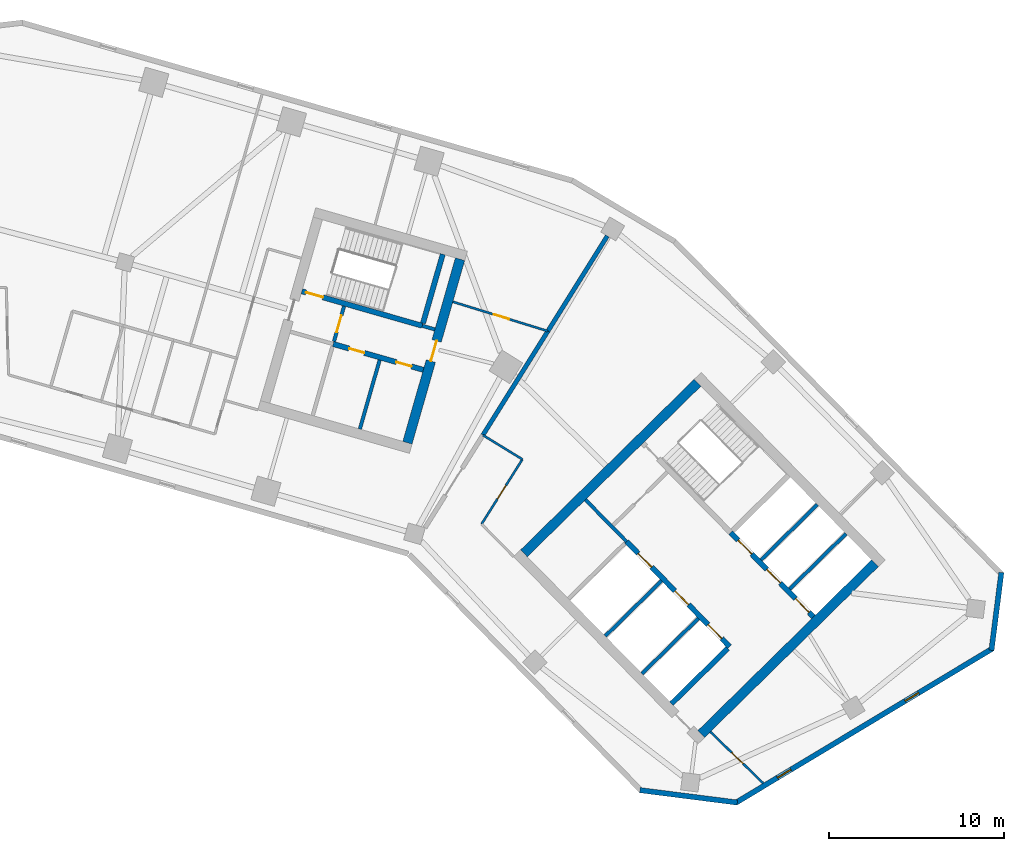
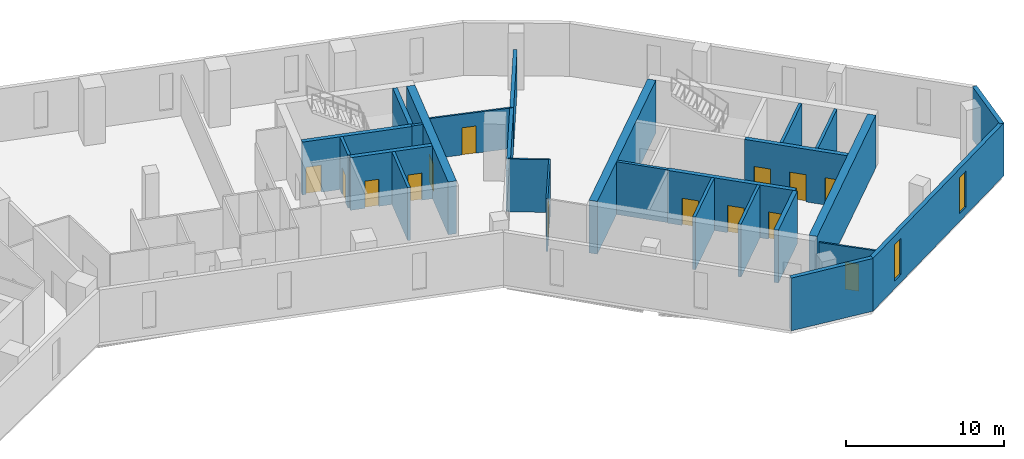
# One storey, part 6 of 10: 26 walls, 14 doors, 2 windows, 16 openings.
"""IFC4 building model written with IfcOpenShell, lengths in metres."""

from ifc_helpers import new_model, si_unit, direction, frame, frame_2d, origin, place, context, subcontext, project, spatial, rectangle, extrude, material, layer, layer_set, type_object, element, fill, save


model = new_model("IFC4")

# Units and contexts
model_context = context("Model", 3, precision=1e-05, world=origin(), true_north=direction((0.0, 1.0)))
body_context = subcontext(model_context, "Body", "Model", "MODEL_VIEW")
ifc_project = project(units=[si_unit("LENGTHUNIT", "METRE"), si_unit("AREAUNIT", "SQUARE_METRE"), si_unit("VOLUMEUNIT", "CUBIC_METRE"), si_unit("PLANEANGLEUNIT", "RADIAN"), si_unit("MASSUNIT", "GRAM", prefix="KILO")], contexts=[model_context])

# Site, building, storey
site_placement = place(None, origin())
site = spatial("IfcSite", under=ifc_project, at=site_placement, CompositionType="ELEMENT")
building_placement = place(site_placement, origin())
building = spatial("IfcBuilding", under=site, at=building_placement, Name="Binnacle Exchange Tower", CompositionType="ELEMENT")
storey_placement = place(building_placement, frame((0.0, 0.0, 101.5)))
storey = spatial("IfcBuildingStorey", under=building, at=storey_placement, Name="L20", CompositionType="ELEMENT", Elevation=101.5)

# Wall
ifc_material_1 = material(Name="Gypsum partition fire rated")
ifc_layer_1 = layer(ifc_material_1, 0.199951171875)
ifc_layer_set_1 = layer_set([ifc_layer_1], Name="Core partition 200")
wall_type_1 = type_object("IfcWallType", Name="Core partition 200", PredefinedType="PARTITIONING", material=ifc_layer_set_1)
wall_1_placement = place(storey_placement, frame((22.65087890625, 47.835205078125, 0.0), z_axis=(0.0, 0.0, 1.0), x_axis=(0.275625388668, 0.961265127383, 0.0)))
element("IfcWall", 1, at=wall_1_placement, inside=storey, type_object=wall_type_1, Name="Core wall CRWD10", PredefinedType="PARTITIONING", context=body_context, shape_type="SweptSolid", body=[
    extrude(rectangle(XDim=4.100341796875, YDim=0.199951171875, at=frame_2d((2.05029296875, 0.0))), origin(), (0.0, 0.0, 1.0), 4.080078125),
])

# Wall, openings, doors
ifc_material_2 = material(Name="Concrete C70/85", Category="concrete")
ifc_layer_2 = layer(ifc_material_2, 0.300048828125)
ifc_layer_set_2 = layer_set([ifc_layer_2], Name="Core wall - front 300")
wall_type_2 = type_object("IfcWallType", Name="Core wall - front 300", PredefinedType="SOLIDWALL", material=ifc_layer_set_2)
wall_2_placement = place(storey_placement, frame((37.8740234375, 41.41552734375, 0.0), z_axis=(0.0, 0.0, 1.0), x_axis=(0.700918271237, -0.71324159795, 0.0)))
wall_2 = element("IfcWall", 2, at=wall_2_placement, inside=storey, type_object=wall_type_2, Name="Core wall CRWB3", PredefinedType="SOLIDWALL", context=body_context, shape_type="SweptSolid", body=[
    extrude(rectangle(XDim=8.39990234375, YDim=0.300048828125, at=frame_2d((4.199951171875, 0.0))), origin(), (0.0, 0.0, 1.0), 4.080078125),
])
opening_1_placement = place(wall_2_placement, frame((0.949951171875, 0.0, 0.0)))
opening_1 = element("IfcOpeningElement", 3, at=opening_1_placement, cuts=wall_2, Name="Opening LD15", PredefinedType="OPENING", context=body_context, shape_type="SweptSolid", body=[
    extrude(rectangle(XDim=1.10009765625, YDim=2.10009765625, at=frame_2d((0.550048828125, 1.050048828125))), frame((0.0, 0.159912109375, 0.0), z_axis=(0.0, -1.0, 0.0), x_axis=(1.0, 0.0, 0.0)), (0.0, 0.0, 1.0), 0.320068359375),
])
opening_2_placement = place(wall_2_placement, frame((3.949951171875, 0.0, 0.0)))
opening_2 = element("IfcOpeningElement", 4, at=opening_2_placement, cuts=wall_2, Name="Opening LD16", PredefinedType="OPENING", context=body_context, shape_type="SweptSolid", body=[
    extrude(rectangle(XDim=1.10009765625, YDim=2.10009765625, at=frame_2d((0.550048828125, 1.050048828125))), frame((0.0, 0.159912109375, 0.0), z_axis=(0.0, -1.0, 0.0), x_axis=(1.0, 0.0, 0.0)), (0.0, 0.0, 1.0), 0.320068359375),
])
opening_3_placement = place(wall_2_placement, frame((6.64990234375, 0.0, 0.0)))
opening_3 = element("IfcOpeningElement", 5, at=opening_3_placement, cuts=wall_2, Name="Opening LD4", PredefinedType="OPENING", context=body_context, shape_type="SweptSolid", body=[
    extrude(rectangle(XDim=1.10009765625, YDim=2.10009765625, at=frame_2d((0.550048828125, 1.050048828125))), frame((0.0, 0.159912109375, 0.0), z_axis=(0.0, -1.0, 0.0), x_axis=(1.0, 0.0, 0.0)), (0.0, 0.0, 1.0), 0.320068359375),
])
ifc_material_3 = material(Name="Steel door leaf", Category="steel")
door_type_1 = type_object("IfcDoorType", Name="Fire door - lift landing 1100", OperationType="NOTDEFINED", PredefinedType="DOOR", material=ifc_material_3)
door_1_placement = place(opening_1_placement, origin())
door_1 = element("IfcDoor", 6, at=door_1_placement, inside=storey, type_object=door_type_1, Name="Landing door LD15 L20", OperationType="DOUBLE_DOOR_SLIDING", OverallHeight=2.10009765625, OverallWidth=1.10009765625, PredefinedType="DOOR", context=body_context, shape_type="SweptSolid", body=[
    extrude(rectangle(XDim=1.10009765625, YDim=2.10009765625, at=frame_2d((0.550048828125, 1.050048828125))), frame((0.0, 0.02490234375, 0.0), z_axis=(0.0, -1.0, 0.0), x_axis=(1.0, 0.0, 0.0)), (0.0, 0.0, 1.0), 0.050048828125),
])
fill(opening_1, door_1)
door_2_placement = place(opening_2_placement, origin())
door_2 = element("IfcDoor", 7, at=door_2_placement, inside=storey, type_object=door_type_1, Name="Landing door LD16 L20", OperationType="DOUBLE_DOOR_SLIDING", OverallHeight=2.10009765625, OverallWidth=1.10009765625, PredefinedType="DOOR", context=body_context, shape_type="SweptSolid", body=[
    extrude(rectangle(XDim=1.10009765625, YDim=2.10009765625, at=frame_2d((0.550048828125, 1.050048828125))), frame((0.0, 0.02490234375, 0.0), z_axis=(0.0, -1.0, 0.0), x_axis=(1.0, 0.0, 0.0)), (0.0, 0.0, 1.0), 0.050048828125),
])
fill(opening_2, door_2)
door_3_placement = place(opening_3_placement, origin())
door_3 = element("IfcDoor", 8, at=door_3_placement, inside=storey, type_object=door_type_1, Name="Landing door LD4 L20", OperationType="DOUBLE_DOOR_SLIDING", OverallHeight=2.10009765625, OverallWidth=1.10009765625, PredefinedType="DOOR", context=body_context, shape_type="SweptSolid", body=[
    extrude(rectangle(XDim=1.10009765625, YDim=2.10009765625, at=frame_2d((0.550048828125, 1.050048828125))), frame((0.0, 0.02490234375, 0.0), z_axis=(0.0, -1.0, 0.0), x_axis=(1.0, 0.0, 0.0)), (0.0, 0.0, 1.0), 0.050048828125),
])
fill(opening_3, door_3)

wall_3_placement = place(storey_placement, frame((43.818603515625, 41.92919921875, 0.0), z_axis=(0.0, 0.0, 1.0), x_axis=(0.700931209592, -0.713228882912, 0.0)))
wall_3 = element("IfcWall", 9, at=wall_3_placement, inside=storey, type_object=wall_type_2, Name="Core wall CRWB5", PredefinedType="SOLIDWALL", context=body_context, shape_type="SweptSolid", body=[
    extrude(rectangle(XDim=6.75, YDim=0.300048828125, at=frame_2d((3.375, 0.0))), origin(), (0.0, 0.0, 1.0), 4.080078125),
])
opening_4_placement = place(wall_3_placement, frame((0.614990234375, 0.0, 0.0)))
opening_4 = element("IfcOpeningElement", 10, at=opening_4_placement, cuts=wall_3, Name="Opening LD1", PredefinedType="OPENING", context=body_context, shape_type="SweptSolid", body=[
    extrude(rectangle(XDim=1.10009765625, YDim=2.10009765625, at=frame_2d((0.550048828125, 1.050048828125))), frame((0.0, 0.159912109375, 0.0), z_axis=(0.0, -1.0, 0.0), x_axis=(1.0, 0.0, 0.0)), (0.0, 0.0, 1.0), 0.320068359375),
])
opening_5_placement = place(wall_3_placement, frame((2.945068359375, 0.0, 0.0)))
opening_5 = element("IfcOpeningElement", 11, at=opening_5_placement, cuts=wall_3, Name="Opening LD2", PredefinedType="OPENING", context=body_context, shape_type="SweptSolid", body=[
    extrude(rectangle(XDim=1.10009765625, YDim=2.10009765625, at=frame_2d((0.550048828125, 1.050048828125))), frame((0.0, 0.159912109375, 0.0), z_axis=(0.0, -1.0, 0.0), x_axis=(1.0, 0.0, 0.0)), (0.0, 0.0, 1.0), 0.320068359375),
])
opening_6_placement = place(wall_3_placement, frame((5.280029296875, 0.0, 0.0)))
opening_6 = element("IfcOpeningElement", 12, at=opening_6_placement, cuts=wall_3, Name="Opening LD3", PredefinedType="OPENING", context=body_context, shape_type="SweptSolid", body=[
    extrude(rectangle(XDim=1.10009765625, YDim=2.10009765625, at=frame_2d((0.550048828125, 1.050048828125))), frame((0.0, 0.159912109375, 0.0), z_axis=(0.0, -1.0, 0.0), x_axis=(1.0, 0.0, 0.0)), (0.0, 0.0, 1.0), 0.320068359375),
])
door_4_placement = place(opening_4_placement, origin())
door_4 = element("IfcDoor", 13, at=door_4_placement, inside=storey, type_object=door_type_1, Name="Landing door LD1 L20", OperationType="DOUBLE_DOOR_SLIDING", OverallHeight=2.10009765625, OverallWidth=1.10009765625, PredefinedType="DOOR", context=body_context, shape_type="SweptSolid", body=[
    extrude(rectangle(XDim=1.10009765625, YDim=2.10009765625, at=frame_2d((0.550048828125, 1.050048828125))), frame((0.0, 0.02490234375, 0.0), z_axis=(0.0, -1.0, 0.0), x_axis=(1.0, 0.0, 0.0)), (0.0, 0.0, 1.0), 0.050048828125),
])
fill(opening_4, door_4)
door_5_placement = place(opening_5_placement, origin())
door_5 = element("IfcDoor", 14, at=door_5_placement, inside=storey, type_object=door_type_1, Name="Landing door LD2 L20", OperationType="DOUBLE_DOOR_SLIDING", OverallHeight=2.10009765625, OverallWidth=1.10009765625, PredefinedType="DOOR", context=body_context, shape_type="SweptSolid", body=[
    extrude(rectangle(XDim=1.10009765625, YDim=2.10009765625, at=frame_2d((0.550048828125, 1.050048828125))), frame((0.0, 0.02490234375, 0.0), z_axis=(0.0, -1.0, 0.0), x_axis=(1.0, 0.0, 0.0)), (0.0, 0.0, 1.0), 0.050048828125),
])
fill(opening_5, door_5)
door_6_placement = place(opening_6_placement, origin())
door_6 = element("IfcDoor", 15, at=door_6_placement, inside=storey, type_object=door_type_1, Name="Landing door LD3 L20", OperationType="DOUBLE_DOOR_SLIDING", OverallHeight=2.10009765625, OverallWidth=1.10009765625, PredefinedType="DOOR", context=body_context, shape_type="SweptSolid", body=[
    extrude(rectangle(XDim=1.10009765625, YDim=2.10009765625, at=frame_2d((0.550048828125, 1.050048828125))), frame((0.0, 0.02490234375, 0.0), z_axis=(0.0, -1.0, 0.0), x_axis=(1.0, 0.0, 0.0)), (0.0, 0.0, 1.0), 0.050048828125),
])
fill(opening_6, door_6)

# Wall
wall_4_placement = place(storey_placement, frame((40.445068359375, 32.1650390625, 0.0), z_axis=(0.0, 0.0, 1.0), x_axis=(0.713264577552, 0.700894886848, 0.0)))
element("IfcWall", 16, at=wall_4_placement, inside=storey, type_object=wall_type_2, Name="Core wall CRWB14", PredefinedType="SOLIDWALL", context=body_context, shape_type="SweptSolid", body=[
    extrude(rectangle(XDim=4.5, YDim=0.300048828125, at=frame_2d((2.25, 0.0))), origin(), (0.0, 0.0, 1.0), 4.080078125),
])

# Wall, openings, doors
wall_5_placement = place(storey_placement, frame((21.130859375, 52.6923828125, 0.0), z_axis=(0.0, 0.0, 1.0), x_axis=(0.961265220997, -0.27562506218, 0.0)))
wall_5 = element("IfcWall", 17, at=wall_5_placement, inside=storey, type_object=wall_type_2, Name="Core wall CRWD3", PredefinedType="SOLIDWALL", context=body_context, shape_type="SweptSolid", body=[
    extrude(rectangle(XDim=5.35009765625, YDim=0.300048828125, at=frame_2d((2.675048828125, 0.0))), origin(), (0.0, 0.0, 1.0), 4.080078125),
])
opening_7_placement = place(wall_5_placement, frame((0.949951171875, 0.0, 0.0)))
opening_7 = element("IfcOpeningElement", 18, at=opening_7_placement, cuts=wall_5, Name="Opening DD10", PredefinedType="OPENING", context=body_context, shape_type="SweptSolid", body=[
    extrude(rectangle(XDim=0.89990234375, YDim=2.10009765625, at=frame_2d((0.449951171875, 1.050048828125))), frame((0.0, 0.159912109375, 0.0), z_axis=(0.0, -1.0, 0.0), x_axis=(1.0, 0.0, 0.0)), (0.0, 0.0, 1.0), 0.320068359375),
])
opening_8_placement = place(wall_5_placement, frame((3.75, 0.0, 0.0)))
opening_8 = element("IfcOpeningElement", 19, at=opening_8_placement, cuts=wall_5, Name="Opening DD11", PredefinedType="OPENING", context=body_context, shape_type="SweptSolid", body=[
    extrude(rectangle(XDim=0.89990234375, YDim=2.10009765625, at=frame_2d((0.449951171875, 1.050048828125))), frame((0.0, 0.159912109375, 0.0), z_axis=(0.0, -1.0, 0.0), x_axis=(1.0, 0.0, 0.0)), (0.0, 0.0, 1.0), 0.320068359375),
])
door_type_2 = type_object("IfcDoorType", Name="Fire door 900", OperationType="NOTDEFINED", PredefinedType="DOOR", material=ifc_material_3)
door_7_placement = place(opening_7_placement, frame((0.89990234375, 0.0, 0.0), z_axis=(0.0, 0.0, 1.0), x_axis=(-1.0, 0.0, 0.0)))
door_7 = element("IfcDoor", 20, at=door_7_placement, inside=storey, type_object=door_type_2, Name="Core room door IT STORE", OperationType="SINGLE_SWING_RIGHT", OverallHeight=2.10009765625, OverallWidth=0.89990234375, PredefinedType="DOOR", context=body_context, shape_type="SweptSolid", body=[
    extrude(rectangle(XDim=0.89990234375, YDim=2.10009765625, at=frame_2d((0.449951171875, 1.050048828125))), frame((0.0, 0.02490234375, 0.0), z_axis=(0.0, -1.0, 0.0), x_axis=(1.0, 0.0, 0.0)), (0.0, 0.0, 1.0), 0.050048828125),
])
fill(opening_7, door_7)
door_8_placement = place(opening_8_placement, frame((0.89990234375, 0.0, 0.0), z_axis=(0.0, 0.0, 1.0), x_axis=(-1.0, 0.0, 0.0)))
door_8 = element("IfcDoor", 21, at=door_8_placement, inside=storey, type_object=door_type_2, Name="Core room door UPS CUPBOARD", OperationType="SINGLE_SWING_LEFT", OverallHeight=2.10009765625, OverallWidth=0.89990234375, PredefinedType="DOOR", context=body_context, shape_type="SweptSolid", body=[
    extrude(rectangle(XDim=0.89990234375, YDim=2.10009765625, at=frame_2d((0.449951171875, 1.050048828125))), frame((0.0, 0.02490234375, 0.0), z_axis=(0.0, -1.0, 0.0), x_axis=(1.0, 0.0, 0.0)), (0.0, 0.0, 1.0), 0.050048828125),
])
fill(opening_8, door_8)

# Walls
ifc_layer_3 = layer(ifc_material_2, 0.550048828125)
ifc_layer_set_3 = layer_set([ifc_layer_3], Name="Core wall - outer 550")
wall_type_3 = type_object("IfcWallType", Name="Core wall - outer 550", PredefinedType="SOLIDWALL", material=ifc_layer_set_3)
for number, where, z_axis, x_axis, name in (
    (22, (32.0166015625, 40.74169921875, 0.0), (0.0, 0.0, 1.0), (0.713253550094, 0.700906108746, 0.0), "Core wall CRWB7"),
    (23, (42.144775390625, 30.435302734375, 0.0), (0.0, 0.0, 1.0), (0.713253550094, 0.700906108746, 0.0), "Core wall CRWB16"),
):
    element("IfcWall", number, at=place(storey_placement, frame(where, z_axis=z_axis, x_axis=x_axis)), inside=storey, type_object=wall_type_3, Name=name, PredefinedType="SOLIDWALL", context=body_context, shape_type="SweptSolid", body=[
        extrude(rectangle(XDim=13.900146484375, YDim=0.550048828125, at=frame_2d((6.9501953125, 0.0))), origin(), (0.0, 0.0, 1.0), 4.080078125),
    ])

# Wall, opening, door
wall_6_placement = place(storey_placement, frame((25.366455078125, 47.056640625, 0.0), z_axis=(0.0, 0.0, 1.0), x_axis=(0.275632146085, 0.96126318979, 0.0)))
wall_6 = element("IfcWall", 24, at=wall_6_placement, inside=storey, type_object=wall_type_3, Name="Core wall CRWD12", PredefinedType="SOLIDWALL", context=body_context, shape_type="SweptSolid", body=[
    extrude(rectangle(XDim=10.89990234375, YDim=0.550048828125, at=frame_2d((5.449951171875, 0.0))), origin(), (0.0, 0.0, 1.0), 4.080078125),
])
opening_9_placement = place(wall_6_placement, frame((4.849853515625, 0.0, 0.0)))
opening_9 = element("IfcOpeningElement", 25, at=opening_9_placement, cuts=wall_6, Name="Opening DD6", PredefinedType="OPENING", context=body_context, shape_type="SweptSolid", body=[
    extrude(rectangle(XDim=1.199951171875, YDim=2.10009765625, at=frame_2d((0.60009765625, 1.050048828125))), frame((0.0, 0.284912109375, 0.0), z_axis=(0.0, -1.0, 0.0), x_axis=(1.0, 0.0, 0.0)), (0.0, 0.0, 1.0), 0.570068359375),
])
door_type_3 = type_object("IfcDoorType", Name="Fire door 1200", OperationType="NOTDEFINED", PredefinedType="DOOR", material=ifc_material_3)
door_9_placement = place(opening_9_placement, frame((1.199951171875, 0.0, 0.0), z_axis=(0.0, 0.0, 1.0), x_axis=(-1.0, 0.0, 0.0)))
door_9 = element("IfcDoor", 26, at=door_9_placement, inside=storey, type_object=door_type_3, Name="Core passage exit door", OperationType="SINGLE_SWING_RIGHT", OverallHeight=2.10009765625, OverallWidth=1.199951171875, PredefinedType="DOOR", context=body_context, shape_type="SweptSolid", body=[
    extrude(rectangle(XDim=1.199951171875, YDim=2.10009765625, at=frame_2d((0.60009765625, 1.050048828125))), frame((0.0, 0.02490234375, 0.0), z_axis=(0.0, -1.0, 0.0), x_axis=(1.0, 0.0, 0.0)), (0.0, 0.0, 1.0), 0.050048828125),
])
fill(opening_9, door_9)

ifc_layer_4 = layer(ifc_material_2, 0.300048828125)
ifc_layer_set_4 = layer_set([ifc_layer_4], Name="Core wall - stair 300")
wall_type_4 = type_object("IfcWallType", Name="Core wall - stair 300", PredefinedType="SOLIDWALL", material=ifc_layer_set_4)
wall_7_placement = place(storey_placement, frame((19.34130859375, 55.702392578125, 0.0), z_axis=(0.0, 0.0, 1.0), x_axis=(0.961263228157, -0.27563201228, 0.0)))
wall_7 = element("IfcWall", 27, at=wall_7_placement, inside=storey, type_object=wall_type_4, Name="Core wall CRWD4", PredefinedType="SOLIDWALL", context=body_context, shape_type="SweptSolid", body=[
    extrude(rectangle(XDim=7.149658203125, YDim=0.300048828125, at=frame_2d((3.57470703125, 0.0))), origin(), (0.0, 0.0, 1.0), 4.080078125),
])
opening_10_placement = place(wall_7_placement, frame((0.25, 0.0, 0.0)))
opening_10 = element("IfcOpeningElement", 28, at=opening_10_placement, cuts=wall_7, Name="Opening DD1", PredefinedType="OPENING", context=body_context, shape_type="SweptSolid", body=[
    extrude(rectangle(XDim=1.0, YDim=2.10009765625, at=frame_2d((0.5, 1.050048828125))), frame((0.0, 0.159912109375, 0.0), z_axis=(0.0, -1.0, 0.0), x_axis=(1.0, 0.0, 0.0)), (0.0, 0.0, 1.0), 0.320068359375),
])
door_type_4 = type_object("IfcDoorType", Name="Fire door 1000", OperationType="NOTDEFINED", PredefinedType="DOOR", material=ifc_material_3)
door_10_placement = place(opening_10_placement, origin())
door_10 = element("IfcDoor", 29, at=door_10_placement, inside=storey, type_object=door_type_4, Name="Stair door ST-D1", OperationType="SINGLE_SWING_LEFT", OverallHeight=2.10009765625, OverallWidth=1.0, PredefinedType="DOOR", context=body_context, shape_type="SweptSolid", body=[
    extrude(rectangle(XDim=1.0, YDim=2.10009765625, at=frame_2d((0.5, 1.050048828125))), frame((0.0, 0.02490234375, 0.0), z_axis=(0.0, -1.0, 0.0), x_axis=(1.0, 0.0, 0.0)), (0.0, 0.0, 1.0), 0.050048828125),
])
fill(opening_10, door_10)

# Walls
wall_8_placement = place(storey_placement, frame((26.255615234375, 53.875732421875, 0.0), z_axis=(0.0, 0.0, 1.0), x_axis=(0.275641165445, 0.961260603537, 0.0)))
element("IfcWall", 30, at=wall_8_placement, inside=storey, type_object=wall_type_4, Name="Core wall CRWD11", PredefinedType="SOLIDWALL", context=body_context, shape_type="SweptSolid", body=[
    extrude(rectangle(XDim=4.10009765625, YDim=0.300048828125, at=frame_2d((2.050048828125, 0.0))), origin(), (0.0, 0.0, 1.0), 4.080078125),
])
ifc_material_4 = material(Name="Bronze aluminium cladding", Category="aluminium")
ifc_layer_5 = layer(ifc_material_4, 0.300048828125)
ifc_layer_set_5 = layer_set([ifc_layer_5], Name="External wall - spandrel 300")
wall_type_5 = type_object("IfcWallType", Name="External wall - spandrel 300", PredefinedType="STANDARD", material=ifc_layer_set_5)
wall_9_placement = place(storey_placement, frame((44.19580078125, 26.517822265625, 0.0), z_axis=(0.0, 0.0, 1.0), x_axis=(-0.992001881269, 0.126223086474, 0.0)))
element("IfcWall", 31, at=wall_9_placement, inside=storey, type_object=wall_type_5, Name="External wall EW-F10 L20", PredefinedType="STANDARD", context=body_context, shape_type="SweptSolid", body=[
    extrude(rectangle(XDim=5.6015625, YDim=0.300048828125, at=frame_2d((2.80078125, 0.0))), origin(), (0.0, 0.0, 1.0), 4.080078125),
])

# Wall, openings, windows
wall_10_placement = place(storey_placement, frame((58.7783203125, 35.317626953125, 0.0), z_axis=(0.0, 0.0, 1.0), x_axis=(-0.857168206138, -0.515036568009, 0.0)))
wall_10 = element("IfcWall", 32, at=wall_10_placement, inside=storey, type_object=wall_type_5, Name="External wall EW-F11 L20", PredefinedType="STANDARD", context=body_context, shape_type="SweptSolid", body=[
    extrude(rectangle(XDim=17.124755859375, YDim=0.300048828125, at=frame_2d((8.5625, 0.0))), origin(), (0.0, 0.0, 1.0), 4.080078125),
])
opening_11_placement = place(wall_10_placement, frame((13.435302734375, 0.0, 0.60009765625)))
opening_11 = element("IfcOpeningElement", 33, at=opening_11_placement, cuts=wall_10, Name="Opening WS2", PredefinedType="OPENING", context=body_context, shape_type="SweptSolid", body=[
    extrude(rectangle(XDim=0.89990234375, YDim=2.800048828125, at=frame_2d((0.449951171875, 1.39990234375))), frame((0.0, 0.159912109375, 0.0), z_axis=(0.0, -1.0, 0.0), x_axis=(1.0, 0.0, 0.0)), (0.0, 0.0, 1.0), 0.320068359375),
])
opening_12_placement = place(wall_10_placement, frame((4.935302734375, 0.0, 0.60009765625)))
opening_12 = element("IfcOpeningElement", 34, at=opening_12_placement, cuts=wall_10, Name="Opening WS2", PredefinedType="OPENING", context=body_context, shape_type="SweptSolid", body=[
    extrude(rectangle(XDim=0.89990234375, YDim=2.800048828125, at=frame_2d((0.449951171875, 1.39990234375))), frame((0.0, 0.159912109375, 0.0), z_axis=(0.0, -1.0, 0.0), x_axis=(1.0, 0.0, 0.0)), (0.0, 0.0, 1.0), 0.320068359375),
])
ifc_material_5 = material(Name="Bronze anodised aluminium frame", Category="aluminium")
window_type = type_object("IfcWindowType", Name="WS2 WINDOW 900x2800", PartitioningType="SINGLE_PANEL", PredefinedType="WINDOW", material=ifc_material_5)
window_1_placement = place(opening_11_placement, origin())
window_1 = element("IfcWindow", 35, at=window_1_placement, inside=storey, type_object=window_type, Name="Window WS2 L20", OverallHeight=2.800048828125, OverallWidth=0.89990234375, PartitioningType="SINGLE_PANEL", PredefinedType="WINDOW", context=body_context, shape_type="SweptSolid", body=[
    extrude(rectangle(XDim=0.89990234375, YDim=2.800048828125, at=frame_2d((0.449951171875, 1.39990234375))), frame((0.0, 0.030029296875, 0.0), z_axis=(0.0, -1.0, 0.0), x_axis=(1.0, 0.0, 0.0)), (0.0, 0.0, 1.0), 0.06005859375),
])
fill(opening_11, window_1)
window_2_placement = place(opening_12_placement, origin())
window_2 = element("IfcWindow", 36, at=window_2_placement, inside=storey, type_object=window_type, Name="Window WS2 L20", OverallHeight=2.800048828125, OverallWidth=0.89990234375, PartitioningType="SINGLE_PANEL", PredefinedType="WINDOW", context=body_context, shape_type="SweptSolid", body=[
    extrude(rectangle(XDim=0.89990234375, YDim=2.800048828125, at=frame_2d((0.449951171875, 1.39990234375))), frame((0.0, 0.030029296875, 0.0), z_axis=(0.0, -1.0, 0.0), x_axis=(1.0, 0.0, 0.0)), (0.0, 0.0, 1.0), 0.06005859375),
])
fill(opening_12, window_2)

# Walls
wall_11_placement = place(storey_placement, frame((59.27197265625, 39.6513671875, 0.0), z_axis=(0.0, 0.0, 1.0), x_axis=(-0.126181137886, -0.992007217938, 0.0)))
element("IfcWall", 37, at=wall_11_placement, inside=storey, type_object=wall_type_5, Name="External wall EW-F12 L20", PredefinedType="STANDARD", context=body_context, shape_type="SweptSolid", body=[
    extrude(rectangle(XDim=4.479248046875, YDim=0.300048828125, at=frame_2d((2.23974609375, 0.0))), origin(), (0.0, 0.0, 1.0), 4.080078125),
])
ifc_material_6 = material(Name="Concrete fire wall C30/37", Category="concrete")
ifc_layer_6 = layer(ifc_material_6, 0.25)
ifc_layer_set_6 = layer_set([ifc_layer_6], Name="Fire wall - compartment 250")
wall_type_6 = type_object("IfcWallType", Name="Fire wall - compartment 250", PredefinedType="PARTITIONING", material=ifc_layer_set_6)
wall_12_placement = place(storey_placement, frame((29.675048828125, 47.490966796875, 0.0), z_axis=(0.0, 0.0, 1.0), x_axis=(0.529992669945, 0.848002222759, 0.0)))
element("IfcWall", 38, at=wall_12_placement, inside=storey, type_object=wall_type_6, Name="Fire Wall W41", PredefinedType="PARTITIONING", context=body_context, shape_type="SweptSolid", body=[
    extrude(rectangle(XDim=7.0, YDim=0.25, at=frame_2d((3.5, 0.0))), origin(), (0.0, 0.0, 1.0), 3.14208984375),
])
wall_13_placement = place(storey_placement, frame((33.385009765625, 53.427001953125, 0.0), z_axis=(0.0, 0.0, 1.0), x_axis=(0.52989620904, 0.848062502204, 0.0)))
element("IfcWall", 39, at=wall_13_placement, inside=storey, type_object=wall_type_6, Name="Fire Wall W42", PredefinedType="PARTITIONING", context=body_context, shape_type="SweptSolid", body=[
    extrude(rectangle(XDim=6.40869140625, YDim=0.25, at=frame_2d((3.204345703125, 0.0))), origin(), (0.0, 0.0, 1.0), 3.14208984375),
])

# Wall, opening, door
ifc_material_7 = material(Name="Masonry block wall", Category="masonry")
ifc_layer_7 = layer(ifc_material_7, 0.199951171875)
ifc_layer_set_7 = layer_set([ifc_layer_7], Name="Fire wall - vestibule 200")
wall_type_7 = type_object("IfcWallType", Name="Fire wall - vestibule 200", PredefinedType="PARTITIONING", material=ifc_layer_set_7)
wall_14_placement = place(storey_placement, frame((21.172119140625, 52.836669921875, 0.0), z_axis=(0.0, 0.0, 1.0), x_axis=(0.275657676022, 0.961255868981, 0.0)))
wall_14 = element("IfcWall", 40, at=wall_14_placement, inside=storey, type_object=wall_type_7, Name="Core wall CRWD9", PredefinedType="PARTITIONING", context=body_context, shape_type="SweptSolid", body=[
    extrude(rectangle(XDim=2.099853515625, YDim=0.199951171875, at=frame_2d((1.0498046875, 0.0))), origin(), (0.0, 0.0, 1.0), 4.080078125),
])
opening_13_placement = place(wall_14_placement, frame((0.550048828125, 0.0, 0.0)))
opening_13 = element("IfcOpeningElement", 41, at=opening_13_placement, cuts=wall_14, Name="Opening DD3", PredefinedType="OPENING", context=body_context, shape_type="SweptSolid", body=[
    extrude(rectangle(XDim=1.0, YDim=2.10009765625, at=frame_2d((0.5, 1.050048828125))), frame((0.0, 0.10986328125, 0.0), z_axis=(0.0, -1.0, 0.0), x_axis=(1.0, 0.0, 0.0)), (0.0, 0.0, 1.0), 0.219970703125),
])
door_11_placement = place(opening_13_placement, origin())
door_11 = element("IfcDoor", 42, at=door_11_placement, inside=storey, type_object=door_type_4, Name="Vestibule door VEST-W", OperationType="SINGLE_SWING_RIGHT", OverallHeight=2.10009765625, OverallWidth=1.0, PredefinedType="DOOR", context=body_context, shape_type="SweptSolid", body=[
    extrude(rectangle(XDim=1.0, YDim=2.10009765625, at=frame_2d((0.5, 1.050048828125))), frame((0.0, 0.02490234375, 0.0), z_axis=(0.0, -1.0, 0.0), x_axis=(1.0, 0.0, 0.0)), (0.0, 0.0, 1.0), 0.050048828125),
])
fill(opening_13, door_11)

ifc_material_8 = material(Name="Gypsum partition")
ifc_layer_8 = layer(ifc_material_8, 0.125)
ifc_layer_set_8 = layer_set([ifc_layer_8], Name="Partition 125")
wall_type_8 = type_object("IfcWallType", Name="Partition 125", PredefinedType="PARTITIONING", material=ifc_layer_set_8)
wall_15_placement = place(storey_placement, frame((27.9599609375, 55.10302734375, 0.0), z_axis=(0.0, 0.0, 1.0), x_axis=(0.955442775069, -0.29517639399, 0.0)))
wall_15 = element("IfcWall", 43, at=wall_15_placement, inside=storey, type_object=wall_type_8, Name="Partition W37", PredefinedType="PARTITIONING", context=body_context, shape_type="SweptSolid", body=[
    extrude(rectangle(XDim=5.677978515625, YDim=0.125, at=frame_2d((2.8388671875, 0.0))), origin(), (0.0, 0.0, 1.0), 3.14208984375),
])
opening_14_placement = place(wall_15_placement, frame((2.449951171875, 0.0, 0.0)))
opening_14 = element("IfcOpeningElement", 44, at=opening_14_placement, cuts=wall_15, Name="Opening DL19-10", PredefinedType="OPENING", context=body_context, shape_type="SweptSolid", body=[
    extrude(rectangle(XDim=0.89990234375, YDim=2.10009765625, at=frame_2d((0.449951171875, 1.050048828125))), frame((0.0, 0.072509765625, 0.0), z_axis=(0.0, -1.0, 0.0), x_axis=(1.0, 0.0, 0.0)), (0.0, 0.0, 1.0), 0.14501953125),
])
ifc_material_9 = material(Name="Timber door leaf", Category="wood")
door_type_5 = type_object("IfcDoorType", Name="Door 900", OperationType="NOTDEFINED", PredefinedType="DOOR", material=ifc_material_9)
door_12_placement = place(opening_14_placement, origin())
door_12 = element("IfcDoor", 45, at=door_12_placement, inside=storey, type_object=door_type_5, Name="Door DL19-10", OperationType="SINGLE_SWING_RIGHT", OverallHeight=2.10009765625, OverallWidth=0.89990234375, PredefinedType="DOOR", context=body_context, shape_type="SweptSolid", body=[
    extrude(rectangle(XDim=0.89990234375, YDim=2.10009765625, at=frame_2d((0.449951171875, 1.050048828125))), frame((0.0, 0.02490234375, 0.0), z_axis=(0.0, -1.0, 0.0), x_axis=(1.0, 0.0, 0.0)), (0.0, 0.0, 1.0), 0.050048828125),
])
fill(opening_14, door_12)

wall_16_placement = place(storey_placement, frame((29.60009765625, 42.416015625, 0.0), z_axis=(0.0, 0.0, 1.0), x_axis=(0.533582711531, 0.84574788794, 0.0)))
wall_16 = element("IfcWall", 46, at=wall_16_placement, inside=storey, type_object=wall_type_8, Name="Partition W39", PredefinedType="PARTITIONING", context=body_context, shape_type="SweptSolid", body=[
    extrude(rectangle(XDim=4.366455078125, YDim=0.125, at=frame_2d((2.18310546875, 0.0))), origin(), (0.0, 0.0, 1.0), 4.080078125),
])
opening_15_placement = place(wall_16_placement, frame((1.699951171875, 0.0, 0.0)))
opening_15 = element("IfcOpeningElement", 47, at=opening_15_placement, cuts=wall_16, Name="Opening DL19-11", PredefinedType="OPENING", context=body_context, shape_type="SweptSolid", body=[
    extrude(rectangle(XDim=0.89990234375, YDim=2.10009765625, at=frame_2d((0.449951171875, 1.050048828125))), frame((0.0, 0.072509765625, 0.0), z_axis=(0.0, -1.0, 0.0), x_axis=(1.0, 0.0, 0.0)), (0.0, 0.0, 1.0), 0.14501953125),
])
door_13_placement = place(opening_15_placement, frame((0.89990234375, 0.0, 0.0), z_axis=(0.0, 0.0, 1.0), x_axis=(-1.0, 0.0, 0.0)))
door_13 = element("IfcDoor", 48, at=door_13_placement, inside=storey, type_object=door_type_5, Name="Door DL19-11", OperationType="SINGLE_SWING_RIGHT", OverallHeight=2.10009765625, OverallWidth=0.89990234375, PredefinedType="DOOR", context=body_context, shape_type="SweptSolid", body=[
    extrude(rectangle(XDim=0.89990234375, YDim=2.10009765625, at=frame_2d((0.449951171875, 1.050048828125))), frame((0.0, 0.02490234375, 0.0), z_axis=(0.0, -1.0, 0.0), x_axis=(1.0, 0.0, 0.0)), (0.0, 0.0, 1.0), 0.050048828125),
])
fill(opening_15, door_13)

# Wall
wall_17_placement = place(storey_placement, frame((29.675048828125, 47.490966796875, 0.0), z_axis=(0.0, 0.0, 1.0), x_axis=(0.852591965232, -0.522577210392, 0.0)))
element("IfcWall", 49, at=wall_17_placement, inside=storey, type_object=wall_type_8, Name="Partition W40", PredefinedType="PARTITIONING", context=body_context, shape_type="SweptSolid", body=[
    extrude(rectangle(XDim=2.644775390625, YDim=0.125, at=frame_2d((1.322265625, 0.0))), origin(), (0.0, 0.0, 1.0), 4.080078125),
])

# Wall, opening, door
wall_18_placement = place(storey_placement, frame((42.658935546875, 30.554931640625, 0.0), z_axis=(0.0, 0.0, 1.0), x_axis=(0.716925671772, -0.697149611743, 0.0)))
wall_18 = element("IfcWall", 50, at=wall_18_placement, inside=storey, type_object=wall_type_8, Name="Partition W43", PredefinedType="PARTITIONING", context=body_context, shape_type="SweptSolid", body=[
    extrude(rectangle(XDim=4.209716796875, YDim=0.125, at=frame_2d((2.10498046875, 0.0))), origin(), (0.0, 0.0, 1.0), 3.35205078125),
])
opening_16_placement = place(wall_18_placement, frame((1.699951171875, 0.0, 0.0)))
opening_16 = element("IfcOpeningElement", 51, at=opening_16_placement, cuts=wall_18, Name="Opening DL19-12", PredefinedType="OPENING", context=body_context, shape_type="SweptSolid", body=[
    extrude(rectangle(XDim=0.89990234375, YDim=2.10009765625, at=frame_2d((0.449951171875, 1.050048828125))), frame((0.0, 0.072509765625, 0.0), z_axis=(0.0, -1.0, 0.0), x_axis=(1.0, 0.0, 0.0)), (0.0, 0.0, 1.0), 0.14501953125),
])
door_14_placement = place(opening_16_placement, origin())
door_14 = element("IfcDoor", 52, at=door_14_placement, inside=storey, type_object=door_type_5, Name="Door DL19-12", OperationType="SINGLE_SWING_RIGHT", OverallHeight=2.10009765625, OverallWidth=0.89990234375, PredefinedType="DOOR", context=body_context, shape_type="SweptSolid", body=[
    extrude(rectangle(XDim=0.89990234375, YDim=2.10009765625, at=frame_2d((0.449951171875, 1.050048828125))), frame((0.0, 0.02490234375, 0.0), z_axis=(0.0, -1.0, 0.0), x_axis=(1.0, 0.0, 0.0)), (0.0, 0.0, 1.0), 0.050048828125),
])
fill(opening_16, door_14)

# Walls
ifc_layer_9 = layer(ifc_material_7, 0.199951171875)
ifc_layer_set_9 = layer_set([ifc_layer_9], Name="Riser wall 200")
wall_type_9 = type_object("IfcWallType", Name="Riser wall 200", PredefinedType="SOLIDWALL", material=ifc_layer_set_9)
wall_19_placement = place(storey_placement, frame((35.526123046875, 43.804931640625, 0.0), z_axis=(0.0, 0.0, 1.0), x_axis=(0.700884863746, -0.713274426691, 0.0)))
element("IfcWall", 53, at=wall_19_placement, inside=storey, type_object=wall_type_9, Name="Core wall CRWB2", PredefinedType="SOLIDWALL", context=body_context, shape_type="SweptSolid", body=[
    extrude(rectangle(XDim=3.349853515625, YDim=0.199951171875, at=frame_2d((1.6748046875, 0.0))), origin(), (0.0, 0.0, 1.0), 4.080078125),
])
wall_20_placement = place(storey_placement, frame((26.214111328125, 53.731689453125, 0.0), z_axis=(0.0, 0.0, 1.0), x_axis=(0.961240918172, -0.275709806194, 0.0)))
element("IfcWall", 54, at=wall_20_placement, inside=storey, type_object=wall_type_9, Name="Core wall CRWD5", PredefinedType="SOLIDWALL", context=body_context, shape_type="SweptSolid", body=[
    extrude(rectangle(XDim=0.75, YDim=0.199951171875, at=frame_2d((0.375, 0.0))), origin(), (0.0, 0.0, 1.0), 4.080078125),
])
ifc_layer_10 = layer(ifc_material_7, 0.199951171875)
ifc_layer_set_10 = layer_set([ifc_layer_10], Name="Shaft wall 200")
wall_type_10 = type_object("IfcWallType", Name="Shaft wall 200", PredefinedType="SOLIDWALL", material=ifc_layer_set_10)
wall_21_placement = place(storey_placement, frame((36.66015625, 36.0166015625, 0.0), z_axis=(0.0, 0.0, 1.0), x_axis=(0.713264577552, 0.700894886848, 0.0)))
element("IfcWall", 55, at=wall_21_placement, inside=storey, type_object=wall_type_10, Name="Core wall CRWB10", PredefinedType="SOLIDWALL", context=body_context, shape_type="SweptSolid", body=[
    extrude(rectangle(XDim=4.5, YDim=0.199951171875, at=frame_2d((2.25, 0.0))), origin(), (0.0, 0.0, 1.0), 4.080078125),
])
wall_22_placement = place(storey_placement, frame((38.762939453125, 33.876708984375, 0.0), z_axis=(0.0, 0.0, 1.0), x_axis=(0.713237455685, 0.700922486305, 0.0)))
element("IfcWall", 56, at=wall_22_placement, inside=storey, type_object=wall_type_10, Name="Core wall CRWB12", PredefinedType="SOLIDWALL", context=body_context, shape_type="SweptSolid", body=[
    extrude(rectangle(XDim=4.500244140625, YDim=0.199951171875, at=frame_2d((2.25, 0.0))), origin(), (0.0, 0.0, 1.0), 4.080078125),
])
for number, where, z_axis, x_axis, name in (
    (57, (45.55859375, 40.37255859375, 0.0), (0.0, 0.0, 1.0), (0.713264577552, 0.700894886848, 0.0), "Core wall CRWB13"),
    (58, (47.191650390625, 38.710693359375, 0.0), (0.0, 0.0, 1.0), (0.713264577552, 0.700894886848, 0.0), "Core wall CRWB15"),
):
    element("IfcWall", number, at=place(storey_placement, frame(where, z_axis=z_axis, x_axis=x_axis)), inside=storey, type_object=wall_type_10, Name=name, PredefinedType="SOLIDWALL", context=body_context, shape_type="SweptSolid", body=[
        extrude(rectangle(XDim=4.5, YDim=0.199951171875, at=frame_2d((2.25, 0.0))), origin(), (0.0, 0.0, 1.0), 4.080078125),
    ])

save(model, "model.ifc")
